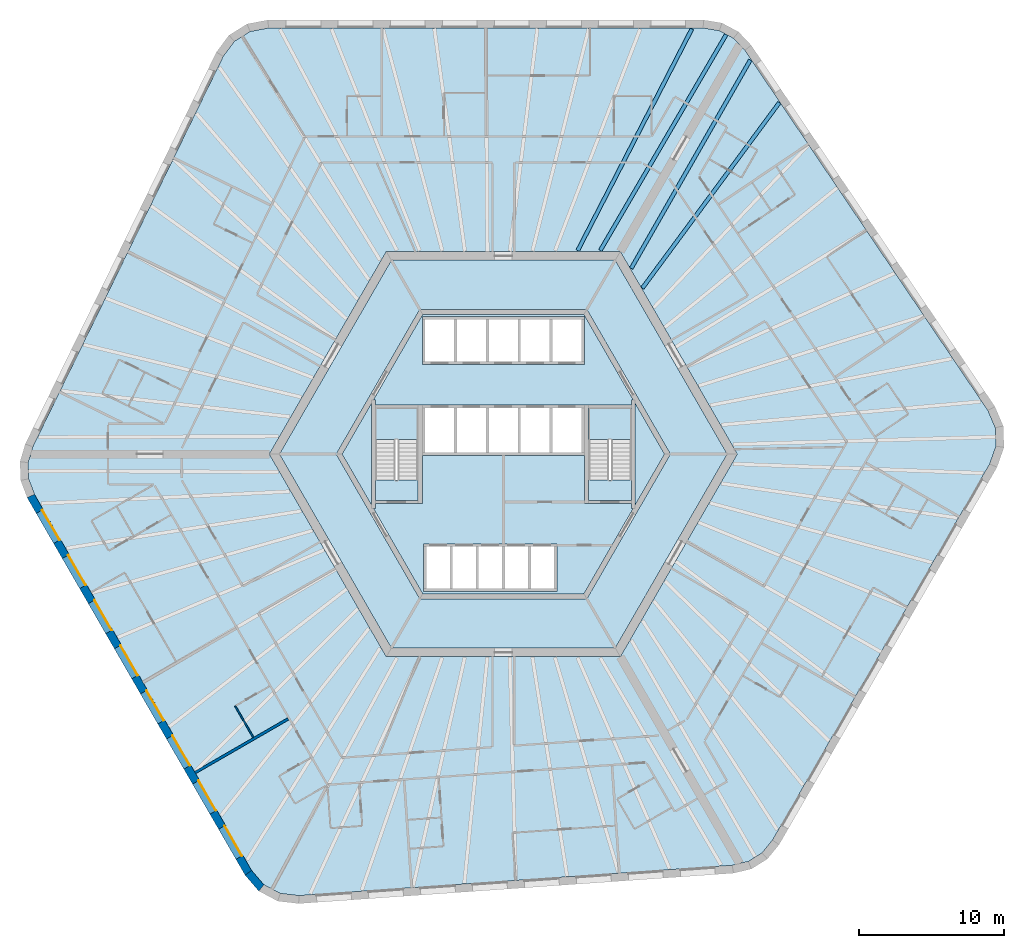
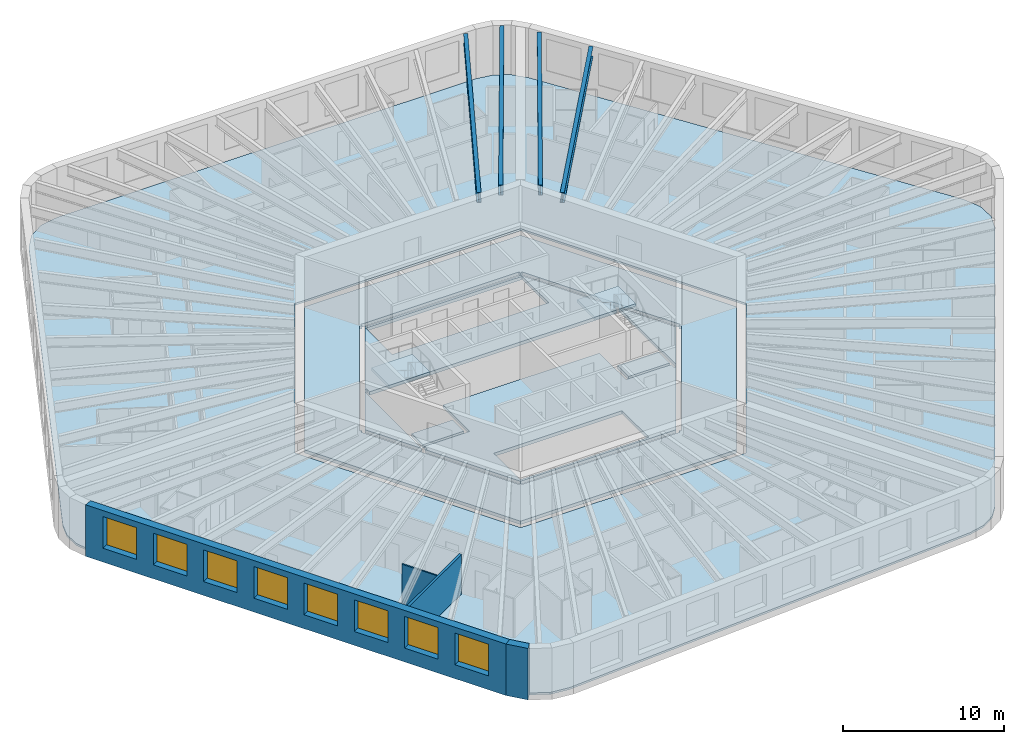
# One storey, part 2 of 12: 10 slabs, 8 windows, 4 beams, 4 walls, 8 openings, 2 elements without a shape of their own.
"""IFC4 building model written with IfcOpenShell, lengths in metres."""

from ifc_helpers import new_model, si_unit, direction, frame, frame_2d, origin, origin_2d, place, context, subcontext, project, spatial, polyline, rectangle, i_section, outline, extrude, material, layer, layer_set, material_profile, profile_set, type_object, element, fill, aggregate, save


model = new_model("IFC4")

# Units and contexts
model_context = context("Model", 3, precision=1e-05, world=origin(), true_north=direction((0.0, 1.0)))
body_context = subcontext(model_context, "Body", "Model", "MODEL_VIEW")
ifc_project = project(units=[si_unit("LENGTHUNIT", "METRE"), si_unit("AREAUNIT", "SQUARE_METRE"), si_unit("VOLUMEUNIT", "CUBIC_METRE"), si_unit("PLANEANGLEUNIT", "RADIAN"), si_unit("MASSUNIT", "GRAM", prefix="KILO")], contexts=[model_context])

# Site, building, storey
site_placement = place(None, origin())
site = spatial("IfcSite", under=ifc_project, at=site_placement, CompositionType="ELEMENT")
building_placement = place(site_placement, origin())
building = spatial("IfcBuilding", under=site, at=building_placement, Name="Tarnside Tower", CompositionType="ELEMENT")
storey_placement = place(building_placement, frame((0.0, 0.0, 127.199951171875)))
storey = spatial("IfcBuildingStorey", under=building, at=storey_placement, Name="L29", CompositionType="ELEMENT", Elevation=127.199951171875)

# Beams
ifc_material_1 = material(Name="Steel S355", Category="steel")
ifc_material_profile = material_profile(ifc_material_1, i_section(OverallWidth=0.2666015625, OverallDepth=0.76220703125, WebThickness=0.014404296875, FlangeThickness=0.021484375, FilletRadius=0.0166015625, at=origin_2d()), Name="UB 762x267x173")
ifc_profile_set = profile_set([ifc_material_profile], Name="Steel S355")
beam_type = type_object("IfcBeamType", Name="Floor beam UB 762x267x173", PredefinedType="BEAM", material=ifc_profile_set)
beam_1_placement = place(storey_placement, frame((13.0283203125, 29.37890625, 3.368896484375), z_axis=(-0.457973226459, -0.888965985765, 0.0), x_axis=(0.888965985765, -0.457973226459, 0.0)))
element("IfcBeam", 1, at=beam_1_placement, inside=storey, type_object=beam_type, Name="Floor beam F1.01", PredefinedType="BEAM", context=body_context, shape_type="SweptSolid", body=[
    extrude(i_section(OverallWidth=0.2666015625, OverallDepth=0.76220703125, WebThickness=0.014404296875, FlangeThickness=0.021484375, FilletRadius=0.0166015625, at=origin_2d()), origin(), (0.0, 0.0, 1.0), 17.219970703125),
])
beam_2_placement = place(storey_placement, frame((19.072021484375, 24.28857421875, 3.368896484375), z_axis=(-0.593986893499, -0.804474717037, 0.0), x_axis=(0.804474717037, -0.593986893499, 0.0)))
element("IfcBeam", 2, at=beam_2_placement, inside=storey, type_object=beam_type, Name="Floor beam F6.08", PredefinedType="BEAM", context=body_context, shape_type="SweptSolid", body=[
    extrude(i_section(OverallWidth=0.2666015625, OverallDepth=0.76220703125, WebThickness=0.014404296875, FlangeThickness=0.021484375, FilletRadius=0.0166015625, at=origin_2d()), origin(), (0.0, 0.0, 1.0), 15.934326171875),
])
beam_3_placement = place(storey_placement, frame((17.066162109375, 27.235107421875, 3.368896484375), z_axis=(-0.49622611841, -0.868193319145, 0.0), x_axis=(0.868193319145, -0.49622611841, 0.0)))
element("IfcBeam", 3, at=beam_3_placement, inside=storey, type_object=beam_type, Name="Floor beam F6.09", PredefinedType="BEAM", context=body_context, shape_type="SweptSolid", body=[
    extrude(i_section(OverallWidth=0.2666015625, OverallDepth=0.76220703125, WebThickness=0.014404296875, FlangeThickness=0.021484375, FilletRadius=0.0166015625, at=origin_2d()), origin(), (0.0, 0.0, 1.0), 16.586669921875),
])
beam_4_placement = place(storey_placement, frame((15.4013671875, 28.990478515625, 3.368896484375), z_axis=(-0.503858723096, -0.863786077198, 0.0), x_axis=(0.863786077198, -0.503858723096, 0.0)))
element("IfcBeam", 4, at=beam_4_placement, inside=storey, type_object=beam_type, Name="Floor beam C6", PredefinedType="BEAM", context=body_context, shape_type="SweptSolid", body=[
    extrude(i_section(OverallWidth=0.2666015625, OverallDepth=0.76220703125, WebThickness=0.014404296875, FlangeThickness=0.021484375, FilletRadius=0.0166015625, at=origin_2d()), origin(), (0.0, 0.0, 1.0), 17.2744140625),
])

# Slabs
ifc_material_2 = material(Name="Concrete C35/45", Category="concrete")
ifc_layer_1 = layer(ifc_material_2, 0.14990234375)
ifc_layer_set_1 = layer_set([ifc_layer_1], Name="Composite floor slab 150")
slab_type_1 = type_object("IfcSlabType", Name="Composite floor slab 150", PredefinedType="FLOOR", material=ifc_layer_set_1)
slab_1_placement = place(storey_placement, frame((0.0, 0.0, -0.14990234375)))
element("IfcSlab", 5, at=slab_1_placement, inside=storey, type_object=slab_type_1, Name="Floor slab L29", PredefinedType="FLOOR", context=body_context, shape_type="SweptSolid", body=[
    extrude(outline(polyline([(14.927490234375, 29.264892578125), (15.91455078125, 28.740234375), (16.697265625, 27.91064453125), (33.48583984375, 3.0205078125), (34.001220703125, 1.825439453125), (34.0458984375, 0.55078125), (33.614990234375, -0.67724609375), (18.603515625, -26.677978515625), (17.880615234375, -27.56005859375), (16.9326171875, -28.15234375), (15.82275390625, -28.41552734375), (-14.127197265625, -30.509765625), (-15.419921875, -30.358642578125), (-16.5458984375, -29.760009765625), (-17.39404296875, -28.772705078125), (-32.405517578125, -2.772216796875), (-32.80810546875, -1.704833984375), (-32.846923828125, -0.587890625), (-32.52001953125, 0.5048828125), (-19.358642578125, 27.4892578125), (-18.58154296875, 28.533203125), (-17.5, 29.208984375), (-16.220947265625, 29.449951171875), (13.802001953125, 29.449951171875), (14.927490234375, 29.264892578125)]), holes=[polyline([(-16.165771484375, 0.0), (-8.0830078125, -14.0), (8.0830078125, -14.0), (16.165771484375, 0.0), (8.0830078125, 14.0), (-8.0830078125, 14.0), (-16.165771484375, 0.0)])]), origin(), (0.0, 0.0, 1.0), 0.14990234375),
])
ifc_material_3 = material(Name="Concrete C40/50", Category="concrete")
ifc_layer_2 = layer(ifc_material_3, 0.25)
ifc_layer_set_2 = layer_set([ifc_layer_2], Name="Core slab C40/50")
slab_type_2 = type_object("IfcSlabType", Name="Core slab C40/50", PredefinedType="FLOOR", material=ifc_layer_set_2)
slab_2_placement = place(storey_placement, frame((0.0, 0.0, -0.25)))
element("IfcSlab", 6, at=slab_2_placement, inside=storey, type_object=slab_type_2, Name="L29 core floor slab 1", PredefinedType="FLOOR", context=body_context, shape_type="SweptSolid", body=[
    extrude(outline(polyline([(-15.472900390625, 0.0), (-7.736572265625, 13.39990234375), (7.736572265625, 13.39990234375), (15.472900390625, 0.0), (7.736572265625, -13.39990234375), (-7.736572265625, -13.39990234375), (-15.472900390625, 0.0)]), holes=[polyline([(5.823974609375, -9.91259765625), (11.49658203125, -0.08740234375), (11.344970703125, 0.0), (11.49658203125, 0.08740234375), (5.823974609375, 9.91259765625), (5.672607421875, 9.824951171875), (5.672607421875, 10.0), (-5.672607421875, 10.0), (-5.672607421875, 9.824951171875), (-5.823974609375, 9.91259765625), (-11.49658203125, 0.08740234375), (-11.344970703125, 0.0), (-11.49658203125, -0.08740234375), (-5.823974609375, -9.91259765625), (-5.672607421875, -9.824951171875), (-5.672607421875, -10.0), (5.672607421875, -10.0), (5.672607421875, -9.824951171875), (5.823974609375, -9.91259765625)])]), origin(), (0.0, 0.0, 1.0), 0.25),
])
slab_3_placement = place(storey_placement, frame((0.0, 0.0, -0.25)))
element("IfcSlab", 7, at=slab_3_placement, inside=storey, type_object=slab_type_2, Name="L29 core floor slab 2", PredefinedType="FLOOR", context=body_context, shape_type="SweptSolid", body=[
    extrude(outline(polyline([(-8.97509765625, 3.7548828125), (-5.5712890625, 9.64990234375), (5.5712890625, 9.64990234375), (8.97509765625, 3.7548828125), (8.85009765625, 3.7548828125), (8.85009765625, 3.39990234375), (5.89990234375, 3.39990234375), (5.60009765625, 3.39990234375), (5.60009765625, 3.39990234375), (-5.60009765625, 3.39990234375), (-5.89990234375, 3.39990234375), (-8.85009765625, 3.39990234375), (-8.85009765625, 3.7548828125), (-8.97509765625, 3.7548828125)]), holes=[polyline([(-5.60009765625, 6.199951171875), (5.60009765625, 6.199951171875), (5.60009765625, 6.39990234375), (5.60009765625, 9.300048828125), (5.60009765625, 9.5), (-5.60009765625, 9.5), (-5.60009765625, 9.300048828125), (-5.60009765625, 6.39990234375), (-5.60009765625, 6.199951171875)])]), origin(), (0.0, 0.0, 1.0), 0.25),
])
slab_4_placement = place(storey_placement, frame((0.0, 0.0, -0.25)))
element("IfcSlab", 8, at=slab_4_placement, inside=storey, type_object=slab_type_2, Name="L29 core floor slab 3", PredefinedType="FLOOR", context=body_context, shape_type="SweptSolid", body=[
    extrude(outline(polyline([(5.60009765625, -3.39990234375), (5.89990234375, -3.39990234375), (8.85009765625, -3.39990234375), (8.85009765625, -3.7548828125), (8.97509765625, -3.7548828125), (5.5712890625, -9.64990234375), (-5.5712890625, -9.64990234375), (-8.97509765625, -3.7548828125), (-8.85009765625, -3.7548828125), (-8.85009765625, -3.39990234375), (-5.89990234375, -3.39990234375), (-5.60009765625, -3.39990234375), (-5.60009765625, -0.10009765625), (5.60009765625, -0.10009765625), (5.60009765625, -3.39990234375)]), holes=[polyline([(-5.5, -9.300048828125), (-5.5, -9.5), (3.699951171875, -9.5), (3.699951171875, -9.300048828125), (3.699951171875, -6.39990234375), (3.699951171875, -6.199951171875), (-5.5, -6.199951171875), (-5.5, -6.39990234375), (-5.5, -9.300048828125)])]), origin(), (0.0, 0.0, 1.0), 0.25),
])
slab_5_placement = place(storey_placement, frame((0.0, 0.0, -0.25)))
element("IfcSlab", 9, at=slab_5_placement, inside=storey, type_object=slab_type_2, Name="L29 core floor slab 4", PredefinedType="FLOOR", context=body_context, shape_type="SweptSolid", body=[
    extrude(outline(polyline([(-11.142822265625, 0.0), (-9.10009765625, 3.538330078125), (-9.10009765625, -3.538330078125), (-11.142822265625, 0.0)])), origin(), (0.0, 0.0, 1.0), 0.25),
])
slab_6_placement = place(storey_placement, frame((0.0, 0.0, -0.25)))
element("IfcSlab", 10, at=slab_6_placement, inside=storey, type_object=slab_type_2, Name="L29 core floor slab 5", PredefinedType="FLOOR", context=body_context, shape_type="SweptSolid", body=[
    extrude(outline(polyline([(-8.85009765625, -1.800048828125), (-5.89990234375, -1.800048828125), (-5.89990234375, -3.199951171875), (-8.85009765625, -3.199951171875), (-8.85009765625, -1.800048828125)])), origin(), (0.0, 0.0, 1.0), 0.25),
])
slab_7_placement = place(storey_placement, frame((0.0, 0.0, -0.25)))
element("IfcSlab", 11, at=slab_7_placement, inside=storey, type_object=slab_type_2, Name="L29 core floor slab 6", PredefinedType="FLOOR", context=body_context, shape_type="SweptSolid", body=[
    extrude(outline(polyline([(5.89990234375, -3.199951171875), (5.89990234375, -1.800048828125), (8.85009765625, -1.800048828125), (8.85009765625, -3.199951171875), (5.89990234375, -3.199951171875)])), origin(), (0.0, 0.0, 1.0), 0.25),
])
slab_8_placement = place(storey_placement, frame((0.0, 0.0, -0.25)))
element("IfcSlab", 12, at=slab_8_placement, inside=storey, type_object=slab_type_2, Name="L29 core floor slab 7", PredefinedType="FLOOR", context=body_context, shape_type="SweptSolid", body=[
    extrude(outline(polyline([(9.10009765625, -3.538330078125), (9.10009765625, 3.538330078125), (11.142822265625, 0.0), (9.10009765625, -3.538330078125)])), origin(), (0.0, 0.0, 1.0), 0.25),
])

# Stair, slab
stair_type = type_object("IfcStairType", Name="Exit stair 1400 clear", PredefinedType="HALF_TURN_STAIR", material=ifc_material_3)
stair_1_placement = place(storey_placement, origin())
stair_1 = element("IfcStair", 13, at=stair_1_placement, inside=storey, type_object=stair_type, Name="L29 Exit stair 1", PredefinedType="HALF_TURN_STAIR")
ifc_layer_3 = layer(ifc_material_3, 0.199951171875)
ifc_layer_set_3 = layer_set([ifc_layer_3], Name="Stair landing 200 C40/50")
slab_type_3 = type_object("IfcSlabType", Name="Stair landing 200 C40/50", PredefinedType="LANDING", material=ifc_layer_set_3)
slab_9_placement = place(storey_placement, frame((0.0, 0.0, 1.75)))
slab_9 = element("IfcSlab", 14, at=slab_9_placement, type_object=slab_type_3, Name="ST1 landing 1", PredefinedType="LANDING", context=body_context, shape_type="SweptSolid", body=[
    extrude(outline(polyline([(8.85009765625, 1.0), (8.85009765625, 3.199951171875), (5.89990234375, 3.199951171875), (5.89990234375, 1.0), (8.85009765625, 1.0)])), origin(), (0.0, 0.0, 1.0), 0.199951171875),
])
aggregate(stair_1, [slab_9])

stair_2_placement = place(storey_placement, origin())
stair_2 = element("IfcStair", 15, at=stair_2_placement, inside=storey, type_object=stair_type, Name="L29 Exit stair 2", PredefinedType="HALF_TURN_STAIR")
slab_10_placement = place(storey_placement, frame((0.0, 0.0, 1.75)))
slab_10 = element("IfcSlab", 16, at=slab_10_placement, type_object=slab_type_3, Name="ST2 landing 1", PredefinedType="LANDING", context=body_context, shape_type="SweptSolid", body=[
    extrude(outline(polyline([(-5.89990234375, 1.0), (-5.89990234375, 3.199951171875), (-8.85009765625, 3.199951171875), (-8.85009765625, 1.0), (-5.89990234375, 1.0)])), origin(), (0.0, 0.0, 1.0), 0.199951171875),
])
aggregate(stair_2, [slab_10])

# Walls
ifc_material_4 = material(Name="Gypsum board partition on steel studs", Category="steel")
ifc_layer_4 = layer(ifc_material_4, 0.10009765625)
ifc_layer_set_4 = layer_set([ifc_layer_4], Name="Bathroom wall 100")
wall_type_1 = type_object("IfcWallType", Name="Bathroom wall 100", PredefinedType="PARTITIONING", material=ifc_layer_set_4)
wall_1_placement = place(storey_placement, frame((-17.273681640625, -19.581298828125, 0.0), z_axis=(0.0, 0.0, 1.0), x_axis=(-0.499946979623, 0.86605601295, 0.0)))
element("IfcWall", 17, at=wall_1_placement, inside=storey, type_object=wall_type_1, Name="Bathroom wall 09118", PredefinedType="PARTITIONING", context=body_context, shape_type="SweptSolid", body=[
    extrude(rectangle(XDim=2.510009765625, YDim=0.10009765625, at=frame_2d((1.2548828125, 0.0))), origin(), (0.0, 0.0, 1.0), 2.98779296875),
])
ifc_layer_5 = layer(ifc_material_4, 0.179931640625)
ifc_layer_set_5 = layer_set([ifc_layer_5], Name="Demising wall 180 EI 60")
wall_type_2 = type_object("IfcWallType", Name="Demising wall 180 EI 60", PredefinedType="PARTITIONING", material=ifc_layer_set_5)
wall_2_placement = place(storey_placement, frame((-21.298828125, -22.00927734375, 0.0), z_axis=(0.0, 0.0, 1.0), x_axis=(0.866014745021, 0.500018461065, 0.0)))
element("IfcWall", 18, at=wall_2_placement, inside=storey, type_object=wall_type_2, Name="Demising wall 09120", PredefinedType="PARTITIONING", context=body_context, shape_type="SweptSolid", body=[
    extrude(rectangle(XDim=7.425048828125, YDim=0.179931640625, at=frame_2d((3.71240234375, 0.0))), origin(), (0.0, 0.0, 1.0), 2.98779296875),
])

# Wall, openings, windows
ifc_material_5 = material(Name="Facing brick", Category="masonry")
ifc_layer_6 = layer(ifc_material_5, 0.10205078125)
ifc_material_6 = material(Name="Concrete C60/75 precast", Category="concrete")
ifc_layer_7 = layer(ifc_material_6, 0.347900390625)
ifc_material_7 = material(Name="Mineral wool insulation")
ifc_layer_8 = layer(ifc_material_7, 0.10009765625)
ifc_layer_set_6 = layer_set([ifc_layer_6, ifc_layer_7, ifc_layer_8], Name="Tube wall 550 brick faced")
wall_type_3 = type_object("IfcWallType", Name="Tube wall 550 brick faced", PredefinedType="SOLIDWALL", material=ifc_layer_set_6)
wall_3_placement = place(storey_placement, frame((-32.65478515625, -2.89013671875, -0.14990234375), z_axis=(0.0, 0.0, 1.0), x_axis=(0.499997711317, -0.866026725152, 0.0)))
wall_3 = element("IfcWall", 19, at=wall_3_placement, inside=storey, type_object=wall_type_3, Name="Tube wall L29 F3 flush 08", PredefinedType="SOLIDWALL", context=body_context, shape_type="SweptSolid", body=[
    extrude(outline(polyline([(-0.0224609375, -0.27490234375), (30.0966796875, -0.27490234375), (30.04541015625, 0.27490234375), (0.0224609375, 0.27490234375), (-0.0224609375, -0.27490234375)])), origin(), (0.0, 0.0, 1.0), 3.89990234375),
])
opening_1_placement = place(wall_3_placement, frame((1.235595703125, 0.0, 1.050048828125)))
opening_1 = element("IfcOpeningElement", 20, at=opening_1_placement, cuts=wall_3, Name="Opening WH", PredefinedType="OPENING", context=body_context, shape_type="SweptSolid", body=[
    extrude(rectangle(XDim=2.39990234375, YDim=2.39990234375, at=frame_2d((1.199951171875, 1.199951171875))), frame((0.0, 0.28515625, 0.0), z_axis=(0.0, -1.0, 0.0), x_axis=(1.0, 0.0, 0.0)), (0.0, 0.0, 1.0), 0.570068359375),
])
opening_2_placement = place(wall_3_placement, frame((4.83544921875, 0.0, 1.050048828125)))
opening_2 = element("IfcOpeningElement", 21, at=opening_2_placement, cuts=wall_3, Name="Opening WH", PredefinedType="OPENING", context=body_context, shape_type="SweptSolid", body=[
    extrude(rectangle(XDim=2.39990234375, YDim=2.39990234375, at=frame_2d((1.199951171875, 1.199951171875))), frame((0.0, 0.28515625, 0.0), z_axis=(0.0, -1.0, 0.0), x_axis=(1.0, 0.0, 0.0)), (0.0, 0.0, 1.0), 0.570068359375),
])
opening_3_placement = place(wall_3_placement, frame((8.435546875, 0.0, 1.050048828125)))
opening_3 = element("IfcOpeningElement", 22, at=opening_3_placement, cuts=wall_3, Name="Opening WH", PredefinedType="OPENING", context=body_context, shape_type="SweptSolid", body=[
    extrude(rectangle(XDim=2.39990234375, YDim=2.39990234375, at=frame_2d((1.199951171875, 1.199951171875))), frame((0.0, 0.28515625, 0.0), z_axis=(0.0, -1.0, 0.0), x_axis=(1.0, 0.0, 0.0)), (0.0, 0.0, 1.0), 0.570068359375),
])
opening_4_placement = place(wall_3_placement, frame((12.035400390625, 0.0, 1.050048828125)))
opening_4 = element("IfcOpeningElement", 23, at=opening_4_placement, cuts=wall_3, Name="Opening WH", PredefinedType="OPENING", context=body_context, shape_type="SweptSolid", body=[
    extrude(rectangle(XDim=2.39990234375, YDim=2.39990234375, at=frame_2d((1.199951171875, 1.199951171875))), frame((0.0, 0.28515625, 0.0), z_axis=(0.0, -1.0, 0.0), x_axis=(1.0, 0.0, 0.0)), (0.0, 0.0, 1.0), 0.570068359375),
])
opening_5_placement = place(wall_3_placement, frame((15.635498046875, 0.0, 1.050048828125)))
opening_5 = element("IfcOpeningElement", 24, at=opening_5_placement, cuts=wall_3, Name="Opening WH", PredefinedType="OPENING", context=body_context, shape_type="SweptSolid", body=[
    extrude(rectangle(XDim=2.39990234375, YDim=2.39990234375, at=frame_2d((1.199951171875, 1.199951171875))), frame((0.0, 0.28515625, 0.0), z_axis=(0.0, -1.0, 0.0), x_axis=(1.0, 0.0, 0.0)), (0.0, 0.0, 1.0), 0.570068359375),
])
opening_6_placement = place(wall_3_placement, frame((19.235595703125, 0.0, 1.050048828125)))
opening_6 = element("IfcOpeningElement", 25, at=opening_6_placement, cuts=wall_3, Name="Opening WH", PredefinedType="OPENING", context=body_context, shape_type="SweptSolid", body=[
    extrude(rectangle(XDim=2.39990234375, YDim=2.39990234375, at=frame_2d((1.199951171875, 1.199951171875))), frame((0.0, 0.28515625, 0.0), z_axis=(0.0, -1.0, 0.0), x_axis=(1.0, 0.0, 0.0)), (0.0, 0.0, 1.0), 0.570068359375),
])
opening_7_placement = place(wall_3_placement, frame((22.83544921875, 0.0, 1.050048828125)))
opening_7 = element("IfcOpeningElement", 26, at=opening_7_placement, cuts=wall_3, Name="Opening WH", PredefinedType="OPENING", context=body_context, shape_type="SweptSolid", body=[
    extrude(rectangle(XDim=2.39990234375, YDim=2.39990234375, at=frame_2d((1.199951171875, 1.199951171875))), frame((0.0, 0.28515625, 0.0), z_axis=(0.0, -1.0, 0.0), x_axis=(1.0, 0.0, 0.0)), (0.0, 0.0, 1.0), 0.570068359375),
])
opening_8_placement = place(wall_3_placement, frame((26.435546875, 0.0, 1.050048828125)))
opening_8 = element("IfcOpeningElement", 27, at=opening_8_placement, cuts=wall_3, Name="Opening WH", PredefinedType="OPENING", context=body_context, shape_type="SweptSolid", body=[
    extrude(rectangle(XDim=2.39990234375, YDim=2.39990234375, at=frame_2d((1.199951171875, 1.199951171875))), frame((0.0, 0.28515625, 0.0), z_axis=(0.0, -1.0, 0.0), x_axis=(1.0, 0.0, 0.0)), (0.0, 0.0, 1.0), 0.570068359375),
])
ifc_material_8 = material(Name="Aluminium-framed double glazing", Category="aluminium")
window_type = type_object("IfcWindowType", Name="Hotel window 2400 x 2400", PartitioningType="DOUBLE_PANEL_VERTICAL", PredefinedType="WINDOW", material=ifc_material_8)
window_1_placement = place(opening_1_placement, frame((0.0, 0.205078125, 0.0)))
window_1 = element("IfcWindow", 28, at=window_1_placement, inside=storey, type_object=window_type, Name="E.WN.L29.F3.00", OverallHeight=2.39990234375, OverallWidth=2.39990234375, PartitioningType="DOUBLE_PANEL_VERTICAL", PredefinedType="WINDOW", context=body_context, shape_type="SweptSolid", body=[
    extrude(rectangle(XDim=2.39990234375, YDim=2.39990234375, at=frame_2d((1.199951171875, 1.199951171875))), frame((0.0, 0.030029296875, 0.0), z_axis=(0.0, -1.0, 0.0), x_axis=(1.0, 0.0, 0.0)), (0.0, 0.0, 1.0), 0.06005859375),
])
fill(opening_1, window_1)
window_2_placement = place(opening_2_placement, frame((0.0, 0.205078125, 0.0)))
window_2 = element("IfcWindow", 29, at=window_2_placement, inside=storey, type_object=window_type, Name="E.WN.L29.F3.01", OverallHeight=2.39990234375, OverallWidth=2.39990234375, PartitioningType="DOUBLE_PANEL_VERTICAL", PredefinedType="WINDOW", context=body_context, shape_type="SweptSolid", body=[
    extrude(rectangle(XDim=2.39990234375, YDim=2.39990234375, at=frame_2d((1.199951171875, 1.199951171875))), frame((0.0, 0.030029296875, 0.0), z_axis=(0.0, -1.0, 0.0), x_axis=(1.0, 0.0, 0.0)), (0.0, 0.0, 1.0), 0.06005859375),
])
fill(opening_2, window_2)
window_3_placement = place(opening_3_placement, frame((0.0, 0.205078125, 0.0)))
window_3 = element("IfcWindow", 30, at=window_3_placement, inside=storey, type_object=window_type, Name="E.WN.L29.F3.02", OverallHeight=2.39990234375, OverallWidth=2.39990234375, PartitioningType="DOUBLE_PANEL_VERTICAL", PredefinedType="WINDOW", context=body_context, shape_type="SweptSolid", body=[
    extrude(rectangle(XDim=2.39990234375, YDim=2.39990234375, at=frame_2d((1.199951171875, 1.199951171875))), frame((0.0, 0.030029296875, 0.0), z_axis=(0.0, -1.0, 0.0), x_axis=(1.0, 0.0, 0.0)), (0.0, 0.0, 1.0), 0.06005859375),
])
fill(opening_3, window_3)
window_4_placement = place(opening_4_placement, frame((0.0, 0.205078125, 0.0)))
window_4 = element("IfcWindow", 31, at=window_4_placement, inside=storey, type_object=window_type, Name="E.WN.L29.F3.03", OverallHeight=2.39990234375, OverallWidth=2.39990234375, PartitioningType="DOUBLE_PANEL_VERTICAL", PredefinedType="WINDOW", context=body_context, shape_type="SweptSolid", body=[
    extrude(rectangle(XDim=2.39990234375, YDim=2.39990234375, at=frame_2d((1.199951171875, 1.199951171875))), frame((0.0, 0.030029296875, 0.0), z_axis=(0.0, -1.0, 0.0), x_axis=(1.0, 0.0, 0.0)), (0.0, 0.0, 1.0), 0.06005859375),
])
fill(opening_4, window_4)
window_5_placement = place(opening_5_placement, frame((0.0, 0.205078125, 0.0)))
window_5 = element("IfcWindow", 32, at=window_5_placement, inside=storey, type_object=window_type, Name="E.WN.L29.F3.04", OverallHeight=2.39990234375, OverallWidth=2.39990234375, PartitioningType="DOUBLE_PANEL_VERTICAL", PredefinedType="WINDOW", context=body_context, shape_type="SweptSolid", body=[
    extrude(rectangle(XDim=2.39990234375, YDim=2.39990234375, at=frame_2d((1.199951171875, 1.199951171875))), frame((0.0, 0.030029296875, 0.0), z_axis=(0.0, -1.0, 0.0), x_axis=(1.0, 0.0, 0.0)), (0.0, 0.0, 1.0), 0.06005859375),
])
fill(opening_5, window_5)
window_6_placement = place(opening_6_placement, frame((0.0, 0.205078125, 0.0)))
window_6 = element("IfcWindow", 33, at=window_6_placement, inside=storey, type_object=window_type, Name="E.WN.L29.F3.05", OverallHeight=2.39990234375, OverallWidth=2.39990234375, PartitioningType="DOUBLE_PANEL_VERTICAL", PredefinedType="WINDOW", context=body_context, shape_type="SweptSolid", body=[
    extrude(rectangle(XDim=2.39990234375, YDim=2.39990234375, at=frame_2d((1.199951171875, 1.199951171875))), frame((0.0, 0.030029296875, 0.0), z_axis=(0.0, -1.0, 0.0), x_axis=(1.0, 0.0, 0.0)), (0.0, 0.0, 1.0), 0.06005859375),
])
fill(opening_6, window_6)
window_7_placement = place(opening_7_placement, frame((0.0, 0.205078125, 0.0)))
window_7 = element("IfcWindow", 34, at=window_7_placement, inside=storey, type_object=window_type, Name="E.WN.L29.F3.06", OverallHeight=2.39990234375, OverallWidth=2.39990234375, PartitioningType="DOUBLE_PANEL_VERTICAL", PredefinedType="WINDOW", context=body_context, shape_type="SweptSolid", body=[
    extrude(rectangle(XDim=2.39990234375, YDim=2.39990234375, at=frame_2d((1.199951171875, 1.199951171875))), frame((0.0, 0.030029296875, 0.0), z_axis=(0.0, -1.0, 0.0), x_axis=(1.0, 0.0, 0.0)), (0.0, 0.0, 1.0), 0.06005859375),
])
fill(opening_7, window_7)
window_8_placement = place(opening_8_placement, frame((0.0, 0.205078125, 0.0)))
window_8 = element("IfcWindow", 35, at=window_8_placement, inside=storey, type_object=window_type, Name="E.WN.L29.F3.07", OverallHeight=2.39990234375, OverallWidth=2.39990234375, PartitioningType="DOUBLE_PANEL_VERTICAL", PredefinedType="WINDOW", context=body_context, shape_type="SweptSolid", body=[
    extrude(rectangle(XDim=2.39990234375, YDim=2.39990234375, at=frame_2d((1.199951171875, 1.199951171875))), frame((0.0, 0.030029296875, 0.0), z_axis=(0.0, -1.0, 0.0), x_axis=(1.0, 0.0, 0.0)), (0.0, 0.0, 1.0), 0.06005859375),
])
fill(opening_8, window_8)

# Wall
wall_4_placement = place(storey_placement, frame((-17.619384765625, -28.932373046875, -0.14990234375), z_axis=(0.0, 0.0, 1.0), x_axis=(0.651621950847, -0.758543890078, 0.0)))
element("IfcWall", 36, at=wall_4_placement, inside=storey, type_object=wall_type_3, Name="Tube wall L29 F3 chord 09", PredefinedType="SOLIDWALL", context=body_context, shape_type="SweptSolid", body=[
    extrude(outline(polyline([(-0.025634765625, -0.27490234375), (1.430908203125, -0.27490234375), (1.327392578125, 0.27490234375), (0.025634765625, 0.27490234375), (-0.025634765625, -0.27490234375)])), origin(), (0.0, 0.0, 1.0), 3.89990234375),
])

save(model, "model.ifc")
